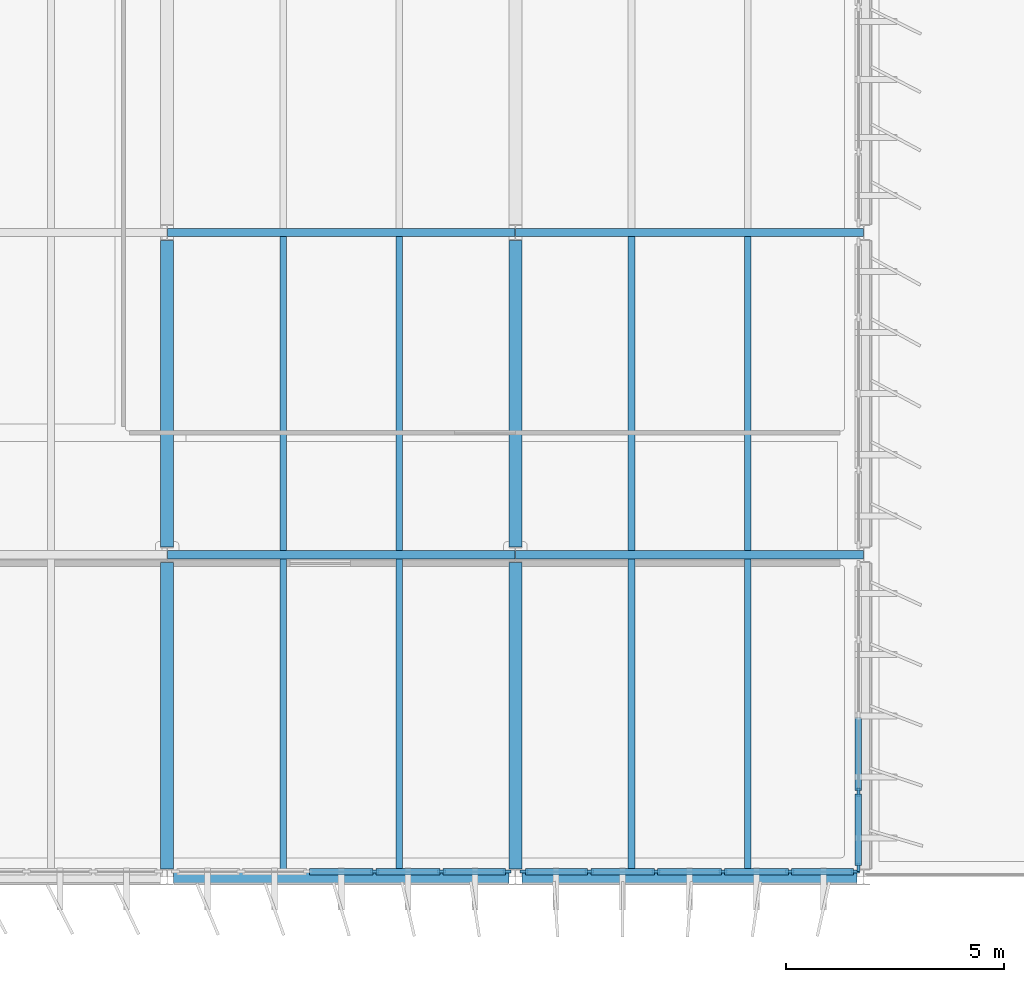
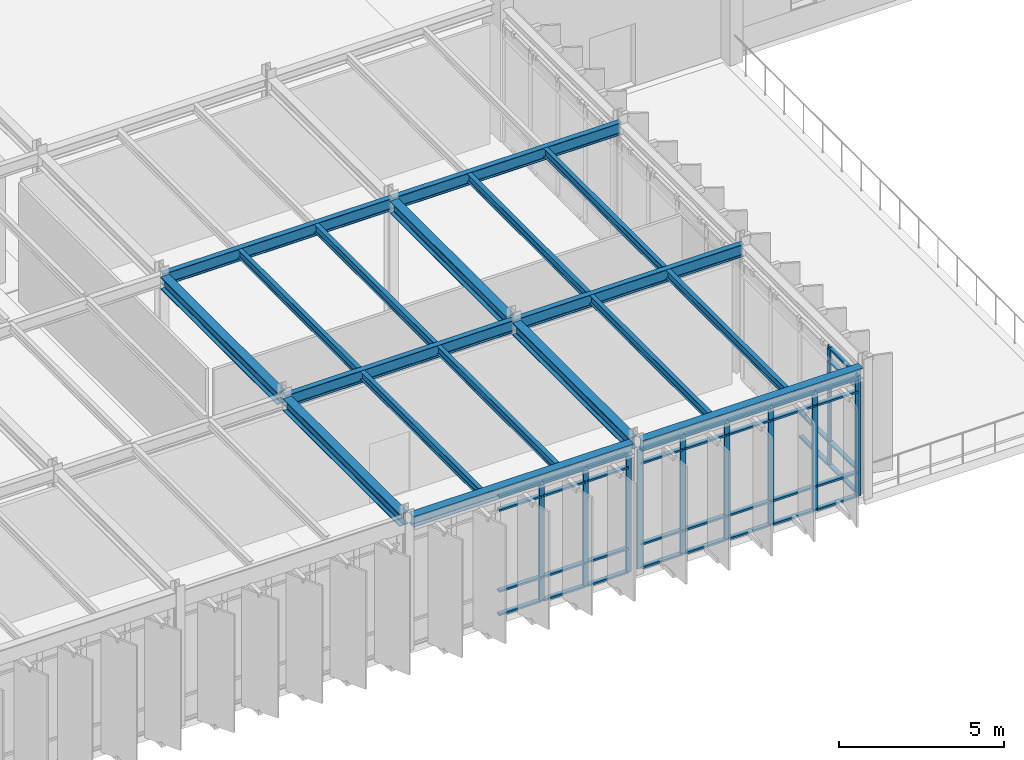
# One storey, part 19 of 48: 49 members, 18 beams, 3 elements without a shape of their own.
"""IFC4 building model written with IfcOpenShell, lengths in metres."""

import ifcopenshell
import ifcopenshell.guid

model = None  # the IFC model being written
_history = None  # IfcOwnerHistory: only IFC2X3 demands one
_inside = {}  # id of a spatial element -> (the spatial element, [elements in it])
_under = {}  # id of a project, library or spatial element -> (it, [spatial elements below it])
_declared = {}  # id of a project -> (the project, [libraries it declares])
_typed = {}  # id of a type object -> (the type object, [elements of that type])
_made_of = {}  # id of a material, layer set ... -> (it, [elements and type objects made of it])


def new_model(schema):
    """Start an empty IFC model of exactly this schema.

    Asked for "IFC4X3", IfcOpenShell would pick the latest addendum, in which some entities
    have other attributes; the version numbers below select the first issue.
    IFC2X3 requires an IfcOwnerHistory on every rooted entity: one is made here for all.
    """
    global model, _history
    if schema == "IFC4X3":
        model = ifcopenshell.file(schema_version=(4, 3, 0, 0))
    else:
        model = ifcopenshell.file(schema=schema)
    _inside.clear()
    _under.clear()
    _declared.clear()
    _typed.clear()
    _made_of.clear()
    _history = None
    if model.schema == "IFC2X3":
        org = make("IfcOrganization", Name="unknown")
        user = make(
            "IfcPersonAndOrganization",
            ThePerson=make("IfcPerson", FamilyName="unknown"),
            TheOrganization=org,
        )
        app = make(
            "IfcApplication",
            ApplicationDeveloper=org,
            Version="unknown",
            ApplicationFullName="unknown",
            ApplicationIdentifier="unknown",
        )
        _history = make(
            "IfcOwnerHistory",
            OwningUser=user,
            OwningApplication=app,
            ChangeAction="ADDED",
            CreationDate=0,
        )
    return model


def make(cls, **values):
    """One entity of the class cls with the attributes given. An attribute that is None is left unset."""
    return model.create_entity(
        cls, **{name: value for name, value in values.items() if value is not None}
    )


def rooted(cls, **values):
    """An entity with a GlobalId (a new one), such as an element, a storey or a relation."""
    return make(cls, GlobalId=ifcopenshell.guid.new(), OwnerHistory=_history, **values)


def si_unit(unit_type, name, prefix=None):
    """IfcSIUnit, for example si_unit("LENGTHUNIT", "METRE", prefix="MILLI")."""
    return make("IfcSIUnit", UnitType=unit_type, Prefix=prefix, Name=name)


def assignment(units):
    """IfcUnitAssignment: the units of a project."""
    return None if units is None else make("IfcUnitAssignment", Units=units)


def point(xyz):
    """IfcCartesianPoint."""
    return None if xyz is None else make("IfcCartesianPoint", Coordinates=xyz)


def direction(xyz):
    """IfcDirection."""
    return None if xyz is None else make("IfcDirection", DirectionRatios=xyz)


def frame(location, z_axis=None, x_axis=None):
    """IfcAxis2Placement3D, a coordinate frame: its origin and axes. An axis left out is left unset."""
    return make(
        "IfcAxis2Placement3D",
        Location=point(location),
        Axis=direction(z_axis),
        RefDirection=direction(x_axis),
    )


def frame_2d(location, x_axis=None):
    """IfcAxis2Placement2D, a coordinate frame in the plane: its origin and x axis."""
    return make(
        "IfcAxis2Placement2D", Location=point(location), RefDirection=direction(x_axis)
    )


def origin():
    """The frame at (0, 0, 0) with its axes left unset."""
    return frame((0.0, 0.0, 0.0))


def origin_2d():
    """The frame at (0, 0) in the plane with its x axis left unset."""
    return frame_2d((0.0, 0.0))


def place(relative_to, where):
    """IfcLocalPlacement: puts the frame where relative to a parent placement (None: the world)."""
    return make(
        "IfcLocalPlacement", PlacementRelTo=relative_to, RelativePlacement=where
    )


def context(
    kind, dimensions, precision=None, world=None, true_north=None, identifier=None
):
    """IfcGeometricRepresentationContext, for example the 3D "Model" context."""
    return make(
        "IfcGeometricRepresentationContext",
        ContextIdentifier=identifier,
        ContextType=kind,
        CoordinateSpaceDimension=dimensions,
        Precision=precision,
        WorldCoordinateSystem=world,
        TrueNorth=true_north,
    )


def subcontext(parent, identifier, kind, view, scale=None):
    """IfcGeometricRepresentationSubContext, for example "Body" below "Model"."""
    return make(
        "IfcGeometricRepresentationSubContext",
        ContextIdentifier=identifier,
        ContextType=kind,
        ParentContext=parent,
        TargetScale=scale,
        TargetView=view,
    )


def project(units=None, contexts=None):
    """IfcProject with its units and contexts."""
    return rooted(
        "IfcProject",
        Name="project",
        RepresentationContexts=contexts,
        UnitsInContext=assignment(units),
    )


def spatial(cls, under=None, at=None, **own):
    """A site, building, storey or space (cls), placed at a placement, below another one or the project."""
    s = rooted(cls, ObjectPlacement=at, **own)
    if under is not None:
        _under.setdefault(under.id(), (under, []))[1].append(s)
    return s


def profile(cls, at=None, kind="AREA", **sizes):
    """A parametric profile (cls). Its sizes go by their IFC names, for example OverallWidth=200.0."""
    return make(cls, ProfileType=kind, Position=at, **sizes)


def rectangle(**sizes):
    """IfcRectangleProfileDef."""
    return profile("IfcRectangleProfileDef", **sizes)


def i_section(**sizes):
    """IfcIShapeProfileDef."""
    return profile("IfcIShapeProfileDef", **sizes)


def extrude(swept, where, along, depth):
    """IfcExtrudedAreaSolid: the profile swept, set in the frame where, extruded along a direction by depth."""
    return make(
        "IfcExtrudedAreaSolid",
        SweptArea=swept,
        Position=where,
        ExtrudedDirection=direction(along),
        Depth=depth,
    )


def shape(context_of_items, identifier, shape_type, items):
    """IfcShapeRepresentation: the items that make up one representation, for example the "Body"."""
    return make(
        "IfcShapeRepresentation",
        ContextOfItems=context_of_items,
        RepresentationIdentifier=identifier,
        RepresentationType=shape_type,
        Items=items,
    )


def material(Name=None, Category=None):
    """IfcMaterial."""
    return make("IfcMaterial", Name=Name, Category=Category)


def layer(
    of_material, thickness, ventilated=None, Name=None, Category=None, Priority=None
):
    """IfcMaterialLayer: one layer of a wall or slab, of a material (None: an air gap)."""
    return make(
        "IfcMaterialLayer",
        Material=of_material,
        LayerThickness=thickness,
        IsVentilated=ventilated,
        Name=Name,
        Category=Category,
        Priority=Priority,
    )


def layer_set(layers, Name=None):
    """IfcMaterialLayerSet."""
    return make("IfcMaterialLayerSet", MaterialLayers=layers, LayerSetName=Name)


def material_profile(
    of_material, cross_section, Name=None, Category=None, Priority=None
):
    """IfcMaterialProfile: a cross section and its material."""
    return make(
        "IfcMaterialProfile",
        Name=Name,
        Material=of_material,
        Profile=cross_section,
        Priority=Priority,
        Category=Category,
    )


def profile_set(profiles, Name=None, composite=None):
    """IfcMaterialProfileSet."""
    return make(
        "IfcMaterialProfileSet",
        Name=Name,
        MaterialProfiles=profiles,
        CompositeProfile=composite,
    )


def made_of(thing, what):
    """Note that an element or type object is made of a material, layer set ...; save() writes the relation."""
    if what is not None:
        _made_of.setdefault(what.id(), (what, []))[1].append(thing)
    return thing


def type_object(cls, material=None, **own):
    """A type object (cls), such as IfcWallType, which elements share."""
    return made_of(rooted(cls, **own), material)


def element(
    cls,
    number,
    at=None,
    inside=None,
    cuts=None,
    type_object=None,
    material=None,
    context=None,
    identifier="Body",
    shape_type=None,
    held_by="IfcProductDefinitionShape",
    body=None,
    shapes=None,
    **own,
):
    """One element of the class cls, such as IfcWall. Its Tag is "e" and its number.

    at: its placement. inside: the storey or other place that contains it. cuts: it is an
    opening in that element (IfcRelVoidsElement). A single representation is given by context,
    identifier, shape_type and body (its items); several are given by shapes. held_by: the class
    of the entity that holds the representations. save() writes the other relations.
    """
    e = rooted(cls, Tag="e%d" % number, ObjectPlacement=at, **own)
    if body is not None:
        shapes = [shape(context, identifier, shape_type, body)]
    if shapes is not None:
        e.Representation = make(held_by, Representations=shapes)
    if inside is not None:
        _inside.setdefault(inside.id(), (inside, []))[1].append(e)
    if cuts is not None:
        rooted(
            "IfcRelVoidsElement", RelatingBuildingElement=cuts, RelatedOpeningElement=e
        )
    if type_object is not None:
        _typed.setdefault(type_object.id(), (type_object, []))[1].append(e)
    return made_of(e, material)


def aggregate(whole, parts):
    """IfcRelAggregates: a whole, such as a stair, and the parts it consists of."""
    return rooted("IfcRelAggregates", RelatingObject=whole, RelatedObjects=parts)


def save(model, path):
    """Write the relations noted so far, then the file.

    IfcRelAggregates (storeys below a building ...), IfcRelContainedInSpatialStructure (elements
    in a storey), IfcRelDefinesByType, IfcRelAssociatesMaterial and IfcRelDeclares: one each for
    every whole, place, type object, material and project.
    """
    for whole, parts in _under.values():
        aggregate(whole, parts)
    for where, things in _inside.values():
        rooted(
            "IfcRelContainedInSpatialStructure",
            RelatedElements=things,
            RelatingStructure=where,
        )
    for kind, things in _typed.values():
        rooted("IfcRelDefinesByType", RelatedObjects=things, RelatingType=kind)
    for what, things in _made_of.values():
        rooted("IfcRelAssociatesMaterial", RelatedObjects=things, RelatingMaterial=what)
    for by, libraries in _declared.values():
        rooted("IfcRelDeclares", RelatingContext=by, RelatedDefinitions=libraries)
    model.write(path)


model = new_model("IFC4")

# Units and contexts
model_context = context("Model", 3, precision=1e-05, world=origin(), true_north=direction((0.0, 1.0)))
body_context = subcontext(model_context, "Body", "Model", "MODEL_VIEW")
ifc_project = project(units=[si_unit("LENGTHUNIT", "METRE"), si_unit("AREAUNIT", "SQUARE_METRE"), si_unit("VOLUMEUNIT", "CUBIC_METRE"), si_unit("PLANEANGLEUNIT", "RADIAN"), si_unit("MASSUNIT", "GRAM", prefix="KILO")], contexts=[model_context])

# Site, building, storey
site_placement = place(None, origin())
site = spatial("IfcSite", under=ifc_project, at=site_placement, CompositionType="ELEMENT")
building_placement = place(site_placement, origin())
building = spatial("IfcBuilding", under=site, at=building_placement, Name="Valkorina Park Police Headquarters", CompositionType="ELEMENT")
storey_placement = place(building_placement, frame((0.0, 0.0, 18.10009765625)))
storey = spatial("IfcBuildingStorey", under=building, at=storey_placement, Name="L05", CompositionType="ELEMENT", Elevation=18.10009765625)

# Beams
ifc_material_1 = material(Name="Steel S355", Category="steel")
ifc_material_profile_1 = material_profile(ifc_material_1, i_section(OverallWidth=0.300048828125, OverallDepth=0.389892578125, WebThickness=0.010986328125, FlangeThickness=0.01904296875, FilletRadius=0.027099609375, at=origin_2d()), Name="HEA 400")
ifc_profile_set_1 = profile_set([ifc_material_profile_1], Name="Steel S355")
beam_type_1 = type_object("IfcBeamType", Name="BM-S355-HEA400-SPN", PredefinedType="SPANDREL", material=ifc_profile_set_1)
for number, where, z_axis, x_axis, name in (
    (1, (96.949951171875, 37.0, 4.6748046875), (1.0, 0.0, 0.0), (0.0, 1.0, 0.0), "L05 Framing Beam 2466"),
    (2, (104.949951171875, 37.0, 4.6748046875), (1.0, 0.0, 0.0), (0.0, 1.0, 0.0), "L05 Framing Beam 2467"),
):
    element("IfcBeam", number, at=place(storey_placement, frame(where, z_axis=z_axis, x_axis=x_axis)), inside=storey, type_object=beam_type_1, Name=name, PredefinedType="SPANDREL", context=body_context, shape_type="SweptSolid", body=[
        extrude(i_section(OverallWidth=0.300048828125, OverallDepth=0.389892578125, WebThickness=0.010986328125, FlangeThickness=0.01904296875, FilletRadius=0.027099609375, at=origin_2d()), origin(), (0.0, 0.0, 1.0), 7.699951171875),
    ])
ifc_material_profile_2 = material_profile(ifc_material_1, i_section(OverallWidth=0.300048828125, OverallDepth=0.449951171875, WebThickness=0.013916015625, FlangeThickness=0.02587890625, FilletRadius=0.027099609375, at=origin_2d()), Name="HEB 450")
ifc_profile_set_2 = profile_set([ifc_material_profile_2], Name="Steel S355")
beam_type_2 = type_object("IfcBeamType", Name="BM-S355-HEB450-BM", PredefinedType="BEAM", material=ifc_profile_set_2)
for number, where, z_axis, x_axis, name in (
    (3, (96.800048828125, 37.179931640625, 4.64501953125), (0.0, 1.0, 0.0), (-1.0, 0.0, 0.0), "L05 Framing Beam 2578"),
    (4, (96.800048828125, 44.580078125, 4.64501953125), (0.0, 1.0, 0.0), (-1.0, 0.0, 0.0), "L05 Framing Beam 2581"),
    (5, (104.800048828125, 37.179931640625, 4.64501953125), (0.0, 1.0, 0.0), (-1.0, 0.0, 0.0), "L05 Framing Beam 2590"),
    (6, (104.800048828125, 44.580078125, 4.64501953125), (0.0, 1.0, 0.0), (-1.0, 0.0, 0.0), "L05 Framing Beam 2593"),
):
    element("IfcBeam", number, at=place(storey_placement, frame(where, z_axis=z_axis, x_axis=x_axis)), inside=storey, type_object=beam_type_2, Name=name, PredefinedType="BEAM", context=body_context, shape_type="SweptSolid", body=[
        extrude(i_section(OverallWidth=0.300048828125, OverallDepth=0.449951171875, WebThickness=0.013916015625, FlangeThickness=0.02587890625, FilletRadius=0.027099609375, at=origin_2d()), origin(), (0.0, 0.0, 1.0), 7.0400390625),
    ])
ifc_material_profile_3 = material_profile(ifc_material_1, i_section(OverallWidth=0.14990234375, OverallDepth=0.300048828125, WebThickness=0.007080078125, FlangeThickness=0.0107421875, FilletRadius=0.014892578125, at=origin_2d()), Name="IPE 300")
ifc_profile_set_3 = profile_set([ifc_material_profile_3], Name="Steel S355")
beam_type_3 = type_object("IfcBeamType", Name="BM-S355-IPE300-JST", PredefinedType="JOIST", material=ifc_profile_set_3)
for number, where, z_axis, x_axis, name in (
    (7, (99.466796875, 37.14990234375, 4.719970703125), (0.0, 1.0, 0.0), (-1.0, 0.0, 0.0), "L05 Framing Beam 2579"),
    (8, (102.13330078125, 37.14990234375, 4.719970703125), (0.0, 1.0, 0.0), (-1.0, 0.0, 0.0), "L05 Framing Beam 2580"),
):
    element("IfcBeam", number, at=place(storey_placement, frame(where, z_axis=z_axis, x_axis=x_axis)), inside=storey, type_object=beam_type_3, Name=name, PredefinedType="JOIST", context=body_context, shape_type="SweptSolid", body=[
        extrude(i_section(OverallWidth=0.14990234375, OverallDepth=0.300048828125, WebThickness=0.007080078125, FlangeThickness=0.0107421875, FilletRadius=0.014892578125, at=origin_2d()), origin(), (0.0, 0.0, 1.0), 7.155029296875),
    ])
for number, where, z_axis, x_axis, name in (
    (9, (99.466796875, 44.4951171875, 4.719970703125), (0.0, 1.0, 0.0), (-1.0, 0.0, 0.0), "L05 Framing Beam 2582"),
    (10, (102.13330078125, 44.4951171875, 4.719970703125), (0.0, 1.0, 0.0), (-1.0, 0.0, 0.0), "L05 Framing Beam 2583"),
):
    element("IfcBeam", number, at=place(storey_placement, frame(where, z_axis=z_axis, x_axis=x_axis)), inside=storey, type_object=beam_type_3, Name=name, PredefinedType="JOIST", context=body_context, shape_type="SweptSolid", body=[
        extrude(i_section(OverallWidth=0.14990234375, OverallDepth=0.300048828125, WebThickness=0.007080078125, FlangeThickness=0.0107421875, FilletRadius=0.014892578125, at=origin_2d()), origin(), (0.0, 0.0, 1.0), 7.2099609375),
    ])
for number, where, z_axis, x_axis, name in (
    (11, (107.466796875, 37.14990234375, 4.719970703125), (0.0, 1.0, 0.0), (-1.0, 0.0, 0.0), "L05 Framing Beam 2591"),
    (12, (110.13330078125, 37.14990234375, 4.719970703125), (0.0, 1.0, 0.0), (-1.0, 0.0, 0.0), "L05 Framing Beam 2592"),
):
    element("IfcBeam", number, at=place(storey_placement, frame(where, z_axis=z_axis, x_axis=x_axis)), inside=storey, type_object=beam_type_3, Name=name, PredefinedType="JOIST", context=body_context, shape_type="SweptSolid", body=[
        extrude(i_section(OverallWidth=0.14990234375, OverallDepth=0.300048828125, WebThickness=0.007080078125, FlangeThickness=0.0107421875, FilletRadius=0.014892578125, at=origin_2d()), origin(), (0.0, 0.0, 1.0), 7.155029296875),
    ])
for number, where, z_axis, x_axis, name in (
    (13, (107.466796875, 44.4951171875, 4.719970703125), (0.0, 1.0, 0.0), (-1.0, 0.0, 0.0), "L05 Framing Beam 2594"),
    (14, (110.13330078125, 44.4951171875, 4.719970703125), (0.0, 1.0, 0.0), (-1.0, 0.0, 0.0), "L05 Framing Beam 2595"),
):
    element("IfcBeam", number, at=place(storey_placement, frame(where, z_axis=z_axis, x_axis=x_axis)), inside=storey, type_object=beam_type_3, Name=name, PredefinedType="JOIST", context=body_context, shape_type="SweptSolid", body=[
        extrude(i_section(OverallWidth=0.14990234375, OverallDepth=0.300048828125, WebThickness=0.007080078125, FlangeThickness=0.0107421875, FilletRadius=0.014892578125, at=origin_2d()), origin(), (0.0, 0.0, 1.0), 7.2099609375),
    ])
ifc_material_profile_4 = material_profile(ifc_material_1, i_section(OverallWidth=0.18994140625, OverallDepth=0.449951171875, WebThickness=0.009521484375, FlangeThickness=0.0146484375, FilletRadius=0.02099609375, at=origin_2d()), Name="IPE 450")
ifc_profile_set_4 = profile_set([ifc_material_profile_4], Name="Steel S355")
beam_type_4 = type_object("IfcBeamType", Name="BM-S355-IPE450-BM", PredefinedType="BEAM", material=ifc_profile_set_4)
for number, where, z_axis, x_axis, name in (
    (15, (96.806396484375, 44.39990234375, 4.64501953125), (1.0, 0.0, 0.0), (0.0, 1.0, 0.0), "L05 Framing Beam 2477"),
    (16, (104.806396484375, 44.39990234375, 4.64501953125), (1.0, 0.0, 0.0), (0.0, 1.0, 0.0), "L05 Framing Beam 2478"),
    (17, (96.806396484375, 51.800048828125, 4.64501953125), (1.0, 0.0, 0.0), (0.0, 1.0, 0.0), "L05 Framing Beam 2485"),
    (18, (104.806396484375, 51.800048828125, 4.64501953125), (1.0, 0.0, 0.0), (0.0, 1.0, 0.0), "L05 Framing Beam 2486"),
):
    element("IfcBeam", number, at=place(storey_placement, frame(where, z_axis=z_axis, x_axis=x_axis)), inside=storey, type_object=beam_type_4, Name=name, PredefinedType="BEAM", context=body_context, shape_type="SweptSolid", body=[
        extrude(i_section(OverallWidth=0.18994140625, OverallDepth=0.449951171875, WebThickness=0.009521484375, FlangeThickness=0.0146484375, FilletRadius=0.02099609375, at=origin_2d()), origin(), (0.0, 0.0, 1.0), 7.9873046875),
    ])

# Curtain wall, members
ifc_material_2 = material(Name="Thermally broken aluminium AW-6060", Category="aluminium")
ifc_layer_1 = layer(ifc_material_2, 0.18994140625)
ifc_layer_set_1 = layer_set([ifc_layer_1], Name="Thermally broken aluminium AW-6060")
curtain_wall_type_1 = type_object("IfcCurtainWallType", Name="CW-V5-7680x4410", PredefinedType="NOTDEFINED", material=ifc_layer_set_1)
curtain_wall_1_placement = place(storey_placement, origin())
curtain_wall_1 = element("IfcCurtainWall", 19, at=curtain_wall_1_placement, inside=storey, type_object=curtain_wall_type_1, Name="L05 Unitised Curtain Wall 061", PredefinedType="NOTDEFINED")
ifc_material_profile_5 = material_profile(ifc_material_2, rectangle(XDim=0.070068359375, YDim=0.18994140625, at=origin_2d()), Name="CWM-02 70x190")
ifc_profile_set_5 = profile_set([ifc_material_profile_5], Name="Thermally broken aluminium AW-6060")
member_type_1 = type_object("IfcMemberType", Name="CWM-70x190", PredefinedType="MULLION", material=ifc_profile_set_5)
member_1_placement = place(storey_placement, frame((112.60498046875, 37.1201171875, 0.0), z_axis=(0.0, 0.0, 1.0), x_axis=(0.0, -1.0, 0.0)))
member_1 = element("IfcMember", 20, at=member_1_placement, type_object=member_type_1, Name="CW-V5-768-441 mullion 1", PredefinedType="MULLION", context=body_context, shape_type="SweptSolid", body=[
    extrude(rectangle(XDim=0.070068359375, YDim=0.18994140625, at=origin_2d()), origin(), (0.0, 0.0, 1.0), 4.409912109375),
])
member_2_placement = place(storey_placement, frame((111.10400390625, 37.1201171875, 0.0), z_axis=(0.0, 0.0, 1.0), x_axis=(0.0, -1.0, 0.0)))
member_2 = element("IfcMember", 21, at=member_2_placement, type_object=member_type_1, Name="CW-V5-768-441 mullion 2", PredefinedType="MULLION", context=body_context, shape_type="SweptSolid", body=[
    extrude(rectangle(XDim=0.070068359375, YDim=0.18994140625, at=origin_2d()), origin(), (0.0, 0.0, 1.0), 4.409912109375),
])
member_3_placement = place(storey_placement, frame((109.568115234375, 37.1201171875, 0.0), z_axis=(0.0, 0.0, 1.0), x_axis=(0.0, -1.0, 0.0)))
member_3 = element("IfcMember", 22, at=member_3_placement, type_object=member_type_1, Name="CW-V5-768-441 mullion 3", PredefinedType="MULLION", context=body_context, shape_type="SweptSolid", body=[
    extrude(rectangle(XDim=0.070068359375, YDim=0.18994140625, at=origin_2d()), origin(), (0.0, 0.0, 1.0), 4.409912109375),
])
member_4_placement = place(storey_placement, frame((108.031982421875, 37.1201171875, 0.0), z_axis=(0.0, 0.0, 1.0), x_axis=(0.0, -1.0, 0.0)))
member_4 = element("IfcMember", 23, at=member_4_placement, type_object=member_type_1, Name="CW-V5-768-441 mullion 4", PredefinedType="MULLION", context=body_context, shape_type="SweptSolid", body=[
    extrude(rectangle(XDim=0.070068359375, YDim=0.18994140625, at=origin_2d()), origin(), (0.0, 0.0, 1.0), 4.409912109375),
])
member_5_placement = place(storey_placement, frame((106.49609375, 37.1201171875, 0.0), z_axis=(0.0, 0.0, 1.0), x_axis=(0.0, -1.0, 0.0)))
member_5 = element("IfcMember", 24, at=member_5_placement, type_object=member_type_1, Name="CW-V5-768-441 mullion 5", PredefinedType="MULLION", context=body_context, shape_type="SweptSolid", body=[
    extrude(rectangle(XDim=0.070068359375, YDim=0.18994140625, at=origin_2d()), origin(), (0.0, 0.0, 1.0), 4.409912109375),
])
member_6_placement = place(storey_placement, frame((104.9951171875, 37.1201171875, 0.0), z_axis=(0.0, 0.0, 1.0), x_axis=(0.0, -1.0, 0.0)))
member_6 = element("IfcMember", 25, at=member_6_placement, type_object=member_type_1, Name="CW-V5-768-441 mullion 6", PredefinedType="MULLION", context=body_context, shape_type="SweptSolid", body=[
    extrude(rectangle(XDim=0.070068359375, YDim=0.18994140625, at=origin_2d()), origin(), (0.0, 0.0, 1.0), 4.409912109375),
])

curtain_wall_2_placement = place(storey_placement, origin())
curtain_wall_2 = element("IfcCurtainWall", 26, at=curtain_wall_2_placement, inside=storey, type_object=curtain_wall_type_1, Name="L05 Unitised Curtain Wall 062", PredefinedType="NOTDEFINED")
member_7_placement = place(storey_placement, frame((104.60498046875, 37.1201171875, 0.0), z_axis=(0.0, 0.0, 1.0), x_axis=(0.0, -1.0, 0.0)))
member_7 = element("IfcMember", 27, at=member_7_placement, type_object=member_type_1, Name="CW-V5-768-441 mullion 1", PredefinedType="MULLION", context=body_context, shape_type="SweptSolid", body=[
    extrude(rectangle(XDim=0.070068359375, YDim=0.18994140625, at=origin_2d()), origin(), (0.0, 0.0, 1.0), 4.409912109375),
])
member_8_placement = place(storey_placement, frame((103.10400390625, 37.1201171875, 0.0), z_axis=(0.0, 0.0, 1.0), x_axis=(0.0, -1.0, 0.0)))
member_8 = element("IfcMember", 28, at=member_8_placement, type_object=member_type_1, Name="CW-V5-768-441 mullion 2", PredefinedType="MULLION", context=body_context, shape_type="SweptSolid", body=[
    extrude(rectangle(XDim=0.070068359375, YDim=0.18994140625, at=origin_2d()), origin(), (0.0, 0.0, 1.0), 4.409912109375),
])
member_9_placement = place(storey_placement, frame((101.568115234375, 37.1201171875, 0.0), z_axis=(0.0, 0.0, 1.0), x_axis=(0.0, -1.0, 0.0)))
member_9 = element("IfcMember", 29, at=member_9_placement, type_object=member_type_1, Name="CW-V5-768-441 mullion 3", PredefinedType="MULLION", context=body_context, shape_type="SweptSolid", body=[
    extrude(rectangle(XDim=0.070068359375, YDim=0.18994140625, at=origin_2d()), origin(), (0.0, 0.0, 1.0), 4.409912109375),
])

ifc_layer_2 = layer(ifc_material_2, 0.18994140625)
ifc_layer_set_2 = layer_set([ifc_layer_2], Name="Thermally broken aluminium AW-6060")
curtain_wall_type_2 = type_object("IfcCurtainWallType", Name="CW-V5-7020x4410", PredefinedType="NOTDEFINED", material=ifc_layer_set_2)
curtain_wall_3_placement = place(storey_placement, origin())
curtain_wall_3 = element("IfcCurtainWall", 30, at=curtain_wall_3_placement, inside=storey, type_object=curtain_wall_type_2, Name="L05 Unitised Curtain Wall 096", PredefinedType="NOTDEFINED")
member_10_placement = place(storey_placement, frame((112.679931640625, 38.945068359375, 0.0), z_axis=(0.0, 0.0, 1.0), x_axis=(1.0, 0.0, 0.0)))
member_10 = element("IfcMember", 31, at=member_10_placement, type_object=member_type_1, Name="CW-V5-702-441 mullion 4", PredefinedType="MULLION", context=body_context, shape_type="SweptSolid", body=[
    extrude(rectangle(XDim=0.070068359375, YDim=0.18994140625, at=origin_2d()), origin(), (0.0, 0.0, 1.0), 4.409912109375),
])
member_11_placement = place(storey_placement, frame((112.679931640625, 37.22509765625, 0.0), z_axis=(0.0, 0.0, 1.0), x_axis=(1.0, 0.0, 0.0)))
member_11 = element("IfcMember", 32, at=member_11_placement, type_object=member_type_1, Name="CW-V5-702-441 mullion 5", PredefinedType="MULLION", context=body_context, shape_type="SweptSolid", body=[
    extrude(rectangle(XDim=0.070068359375, YDim=0.18994140625, at=origin_2d()), origin(), (0.0, 0.0, 1.0), 4.409912109375),
])

# Member
ifc_material_profile_6 = material_profile(ifc_material_2, rectangle(XDim=0.14990234375, YDim=0.070068359375, at=origin_2d()), Name="CWT-02 150x70")
ifc_profile_set_6 = profile_set([ifc_material_profile_6], Name="Thermally broken aluminium AW-6060")
member_type_2 = type_object("IfcMemberType", Name="CWT-150x70", PredefinedType="USERDEFINED", material=ifc_profile_set_6)
member_12_placement = place(storey_placement, frame((112.570068359375, 37.1201171875, 0.034912109375), z_axis=(-1.0, 0.0, 0.0), x_axis=(0.0, -1.0, 0.0)))
member_12 = element("IfcMember", 33, at=member_12_placement, type_object=member_type_2, Name="CW-V5-768-441 transom 1.1", ObjectType="TRANSOM", PredefinedType="USERDEFINED", context=body_context, shape_type="SweptSolid", body=[
    extrude(rectangle(XDim=0.14990234375, YDim=0.070068359375, at=origin_2d()), origin(), (0.0, 0.0, 1.0), 1.43115234375),
])

member_13_placement = place(storey_placement, frame((112.570068359375, 37.1201171875, 0.89990234375), z_axis=(-1.0, 0.0, 0.0), x_axis=(0.0, -1.0, 0.0)))
member_13 = element("IfcMember", 34, at=member_13_placement, type_object=member_type_2, Name="CW-V5-768-441 transom 1.2", ObjectType="TRANSOM", PredefinedType="USERDEFINED", context=body_context, shape_type="SweptSolid", body=[
    extrude(rectangle(XDim=0.14990234375, YDim=0.070068359375, at=origin_2d()), origin(), (0.0, 0.0, 1.0), 1.43115234375),
])

member_14_placement = place(storey_placement, frame((112.570068359375, 37.1201171875, 3.889892578125), z_axis=(-1.0, 0.0, 0.0), x_axis=(0.0, -1.0, 0.0)))
member_14 = element("IfcMember", 35, at=member_14_placement, type_object=member_type_2, Name="CW-V5-768-441 transom 1.3", ObjectType="TRANSOM", PredefinedType="USERDEFINED", context=body_context, shape_type="SweptSolid", body=[
    extrude(rectangle(XDim=0.14990234375, YDim=0.070068359375, at=origin_2d()), origin(), (0.0, 0.0, 1.0), 1.43115234375),
])

member_15_placement = place(storey_placement, frame((112.570068359375, 37.1201171875, 4.375), z_axis=(-1.0, 0.0, 0.0), x_axis=(0.0, -1.0, 0.0)))
member_15 = element("IfcMember", 36, at=member_15_placement, type_object=member_type_2, Name="CW-V5-768-441 transom 1.4", ObjectType="TRANSOM", PredefinedType="USERDEFINED", context=body_context, shape_type="SweptSolid", body=[
    extrude(rectangle(XDim=0.14990234375, YDim=0.070068359375, at=origin_2d()), origin(), (0.0, 0.0, 1.0), 1.43115234375),
])

member_16_placement = place(storey_placement, frame((111.069091796875, 37.1201171875, 0.034912109375), z_axis=(-1.0, 0.0, 0.0), x_axis=(0.0, -1.0, 0.0)))
member_16 = element("IfcMember", 37, at=member_16_placement, type_object=member_type_2, Name="CW-V5-768-441 transom 2.1", ObjectType="TRANSOM", PredefinedType="USERDEFINED", context=body_context, shape_type="SweptSolid", body=[
    extrude(rectangle(XDim=0.14990234375, YDim=0.070068359375, at=origin_2d()), origin(), (0.0, 0.0, 1.0), 1.466064453125),
])

member_17_placement = place(storey_placement, frame((111.069091796875, 37.1201171875, 0.89990234375), z_axis=(-1.0, 0.0, 0.0), x_axis=(0.0, -1.0, 0.0)))
member_17 = element("IfcMember", 38, at=member_17_placement, type_object=member_type_2, Name="CW-V5-768-441 transom 2.2", ObjectType="TRANSOM", PredefinedType="USERDEFINED", context=body_context, shape_type="SweptSolid", body=[
    extrude(rectangle(XDim=0.14990234375, YDim=0.070068359375, at=origin_2d()), origin(), (0.0, 0.0, 1.0), 1.466064453125),
])

member_18_placement = place(storey_placement, frame((111.069091796875, 37.1201171875, 3.889892578125), z_axis=(-1.0, 0.0, 0.0), x_axis=(0.0, -1.0, 0.0)))
member_18 = element("IfcMember", 39, at=member_18_placement, type_object=member_type_2, Name="CW-V5-768-441 transom 2.3", ObjectType="TRANSOM", PredefinedType="USERDEFINED", context=body_context, shape_type="SweptSolid", body=[
    extrude(rectangle(XDim=0.14990234375, YDim=0.070068359375, at=origin_2d()), origin(), (0.0, 0.0, 1.0), 1.466064453125),
])

member_19_placement = place(storey_placement, frame((111.069091796875, 37.1201171875, 4.375), z_axis=(-1.0, 0.0, 0.0), x_axis=(0.0, -1.0, 0.0)))
member_19 = element("IfcMember", 40, at=member_19_placement, type_object=member_type_2, Name="CW-V5-768-441 transom 2.4", ObjectType="TRANSOM", PredefinedType="USERDEFINED", context=body_context, shape_type="SweptSolid", body=[
    extrude(rectangle(XDim=0.14990234375, YDim=0.070068359375, at=origin_2d()), origin(), (0.0, 0.0, 1.0), 1.466064453125),
])

member_20_placement = place(storey_placement, frame((109.532958984375, 37.1201171875, 0.034912109375), z_axis=(-1.0, 0.0, 0.0), x_axis=(0.0, -1.0, 0.0)))
member_20 = element("IfcMember", 41, at=member_20_placement, type_object=member_type_2, Name="CW-V5-768-441 transom 3.1", ObjectType="TRANSOM", PredefinedType="USERDEFINED", context=body_context, shape_type="SweptSolid", body=[
    extrude(rectangle(XDim=0.14990234375, YDim=0.070068359375, at=origin_2d()), origin(), (0.0, 0.0, 1.0), 1.466064453125),
])

member_21_placement = place(storey_placement, frame((109.532958984375, 37.1201171875, 0.89990234375), z_axis=(-1.0, 0.0, 0.0), x_axis=(0.0, -1.0, 0.0)))
member_21 = element("IfcMember", 42, at=member_21_placement, type_object=member_type_2, Name="CW-V5-768-441 transom 3.2", ObjectType="TRANSOM", PredefinedType="USERDEFINED", context=body_context, shape_type="SweptSolid", body=[
    extrude(rectangle(XDim=0.14990234375, YDim=0.070068359375, at=origin_2d()), origin(), (0.0, 0.0, 1.0), 1.466064453125),
])

member_22_placement = place(storey_placement, frame((109.532958984375, 37.1201171875, 3.889892578125), z_axis=(-1.0, 0.0, 0.0), x_axis=(0.0, -1.0, 0.0)))
member_22 = element("IfcMember", 43, at=member_22_placement, type_object=member_type_2, Name="CW-V5-768-441 transom 3.3", ObjectType="TRANSOM", PredefinedType="USERDEFINED", context=body_context, shape_type="SweptSolid", body=[
    extrude(rectangle(XDim=0.14990234375, YDim=0.070068359375, at=origin_2d()), origin(), (0.0, 0.0, 1.0), 1.466064453125),
])

member_23_placement = place(storey_placement, frame((109.532958984375, 37.1201171875, 4.375), z_axis=(-1.0, 0.0, 0.0), x_axis=(0.0, -1.0, 0.0)))
member_23 = element("IfcMember", 44, at=member_23_placement, type_object=member_type_2, Name="CW-V5-768-441 transom 3.4", ObjectType="TRANSOM", PredefinedType="USERDEFINED", context=body_context, shape_type="SweptSolid", body=[
    extrude(rectangle(XDim=0.14990234375, YDim=0.070068359375, at=origin_2d()), origin(), (0.0, 0.0, 1.0), 1.466064453125),
])

member_24_placement = place(storey_placement, frame((107.9970703125, 37.1201171875, 0.034912109375), z_axis=(-1.0, 0.0, 0.0), x_axis=(0.0, -1.0, 0.0)))
member_24 = element("IfcMember", 45, at=member_24_placement, type_object=member_type_2, Name="CW-V5-768-441 transom 4.1", ObjectType="TRANSOM", PredefinedType="USERDEFINED", context=body_context, shape_type="SweptSolid", body=[
    extrude(rectangle(XDim=0.14990234375, YDim=0.070068359375, at=origin_2d()), origin(), (0.0, 0.0, 1.0), 1.466064453125),
])

member_25_placement = place(storey_placement, frame((107.9970703125, 37.1201171875, 0.89990234375), z_axis=(-1.0, 0.0, 0.0), x_axis=(0.0, -1.0, 0.0)))
member_25 = element("IfcMember", 46, at=member_25_placement, type_object=member_type_2, Name="CW-V5-768-441 transom 4.2", ObjectType="TRANSOM", PredefinedType="USERDEFINED", context=body_context, shape_type="SweptSolid", body=[
    extrude(rectangle(XDim=0.14990234375, YDim=0.070068359375, at=origin_2d()), origin(), (0.0, 0.0, 1.0), 1.466064453125),
])

member_26_placement = place(storey_placement, frame((107.9970703125, 37.1201171875, 3.889892578125), z_axis=(-1.0, 0.0, 0.0), x_axis=(0.0, -1.0, 0.0)))
member_26 = element("IfcMember", 47, at=member_26_placement, type_object=member_type_2, Name="CW-V5-768-441 transom 4.3", ObjectType="TRANSOM", PredefinedType="USERDEFINED", context=body_context, shape_type="SweptSolid", body=[
    extrude(rectangle(XDim=0.14990234375, YDim=0.070068359375, at=origin_2d()), origin(), (0.0, 0.0, 1.0), 1.466064453125),
])

member_27_placement = place(storey_placement, frame((107.9970703125, 37.1201171875, 4.375), z_axis=(-1.0, 0.0, 0.0), x_axis=(0.0, -1.0, 0.0)))
member_27 = element("IfcMember", 48, at=member_27_placement, type_object=member_type_2, Name="CW-V5-768-441 transom 4.4", ObjectType="TRANSOM", PredefinedType="USERDEFINED", context=body_context, shape_type="SweptSolid", body=[
    extrude(rectangle(XDim=0.14990234375, YDim=0.070068359375, at=origin_2d()), origin(), (0.0, 0.0, 1.0), 1.466064453125),
])

member_28_placement = place(storey_placement, frame((106.4609375, 37.1201171875, 0.034912109375), z_axis=(-1.0, 0.0, 0.0), x_axis=(0.0, -1.0, 0.0)))
member_28 = element("IfcMember", 49, at=member_28_placement, type_object=member_type_2, Name="CW-V5-768-441 transom 5.1", ObjectType="TRANSOM", PredefinedType="USERDEFINED", context=body_context, shape_type="SweptSolid", body=[
    extrude(rectangle(XDim=0.14990234375, YDim=0.070068359375, at=origin_2d()), origin(), (0.0, 0.0, 1.0), 1.430908203125),
])

member_29_placement = place(storey_placement, frame((106.4609375, 37.1201171875, 0.89990234375), z_axis=(-1.0, 0.0, 0.0), x_axis=(0.0, -1.0, 0.0)))
member_29 = element("IfcMember", 50, at=member_29_placement, type_object=member_type_2, Name="CW-V5-768-441 transom 5.2", ObjectType="TRANSOM", PredefinedType="USERDEFINED", context=body_context, shape_type="SweptSolid", body=[
    extrude(rectangle(XDim=0.14990234375, YDim=0.070068359375, at=origin_2d()), origin(), (0.0, 0.0, 1.0), 1.430908203125),
])

member_30_placement = place(storey_placement, frame((106.4609375, 37.1201171875, 3.889892578125), z_axis=(-1.0, 0.0, 0.0), x_axis=(0.0, -1.0, 0.0)))
member_30 = element("IfcMember", 51, at=member_30_placement, type_object=member_type_2, Name="CW-V5-768-441 transom 5.3", ObjectType="TRANSOM", PredefinedType="USERDEFINED", context=body_context, shape_type="SweptSolid", body=[
    extrude(rectangle(XDim=0.14990234375, YDim=0.070068359375, at=origin_2d()), origin(), (0.0, 0.0, 1.0), 1.430908203125),
])

member_31_placement = place(storey_placement, frame((106.4609375, 37.1201171875, 4.375), z_axis=(-1.0, 0.0, 0.0), x_axis=(0.0, -1.0, 0.0)))
member_31 = element("IfcMember", 52, at=member_31_placement, type_object=member_type_2, Name="CW-V5-768-441 transom 5.4", ObjectType="TRANSOM", PredefinedType="USERDEFINED", context=body_context, shape_type="SweptSolid", body=[
    extrude(rectangle(XDim=0.14990234375, YDim=0.070068359375, at=origin_2d()), origin(), (0.0, 0.0, 1.0), 1.430908203125),
])

aggregate(curtain_wall_1, [member_1, member_2, member_3, member_4, member_5, member_6, member_12, member_13, member_14, member_15, member_16, member_17, member_18, member_19, member_20, member_21, member_22, member_23, member_24, member_25, member_26, member_27, member_28, member_29, member_30, member_31])

member_32_placement = place(storey_placement, frame((104.570068359375, 37.1201171875, 0.034912109375), z_axis=(-1.0, 0.0, 0.0), x_axis=(0.0, -1.0, 0.0)))
member_32 = element("IfcMember", 53, at=member_32_placement, type_object=member_type_2, Name="CW-V5-768-441 transom 1.1", ObjectType="TRANSOM", PredefinedType="USERDEFINED", context=body_context, shape_type="SweptSolid", body=[
    extrude(rectangle(XDim=0.14990234375, YDim=0.070068359375, at=origin_2d()), origin(), (0.0, 0.0, 1.0), 1.43115234375),
])

member_33_placement = place(storey_placement, frame((104.570068359375, 37.1201171875, 0.89990234375), z_axis=(-1.0, 0.0, 0.0), x_axis=(0.0, -1.0, 0.0)))
member_33 = element("IfcMember", 54, at=member_33_placement, type_object=member_type_2, Name="CW-V5-768-441 transom 1.2", ObjectType="TRANSOM", PredefinedType="USERDEFINED", context=body_context, shape_type="SweptSolid", body=[
    extrude(rectangle(XDim=0.14990234375, YDim=0.070068359375, at=origin_2d()), origin(), (0.0, 0.0, 1.0), 1.43115234375),
])

member_34_placement = place(storey_placement, frame((104.570068359375, 37.1201171875, 3.889892578125), z_axis=(-1.0, 0.0, 0.0), x_axis=(0.0, -1.0, 0.0)))
member_34 = element("IfcMember", 55, at=member_34_placement, type_object=member_type_2, Name="CW-V5-768-441 transom 1.3", ObjectType="TRANSOM", PredefinedType="USERDEFINED", context=body_context, shape_type="SweptSolid", body=[
    extrude(rectangle(XDim=0.14990234375, YDim=0.070068359375, at=origin_2d()), origin(), (0.0, 0.0, 1.0), 1.43115234375),
])

member_35_placement = place(storey_placement, frame((104.570068359375, 37.1201171875, 4.375), z_axis=(-1.0, 0.0, 0.0), x_axis=(0.0, -1.0, 0.0)))
member_35 = element("IfcMember", 56, at=member_35_placement, type_object=member_type_2, Name="CW-V5-768-441 transom 1.4", ObjectType="TRANSOM", PredefinedType="USERDEFINED", context=body_context, shape_type="SweptSolid", body=[
    extrude(rectangle(XDim=0.14990234375, YDim=0.070068359375, at=origin_2d()), origin(), (0.0, 0.0, 1.0), 1.43115234375),
])

member_36_placement = place(storey_placement, frame((103.069091796875, 37.1201171875, 0.034912109375), z_axis=(-1.0, 0.0, 0.0), x_axis=(0.0, -1.0, 0.0)))
member_36 = element("IfcMember", 57, at=member_36_placement, type_object=member_type_2, Name="CW-V5-768-441 transom 2.1", ObjectType="TRANSOM", PredefinedType="USERDEFINED", context=body_context, shape_type="SweptSolid", body=[
    extrude(rectangle(XDim=0.14990234375, YDim=0.070068359375, at=origin_2d()), origin(), (0.0, 0.0, 1.0), 1.466064453125),
])

member_37_placement = place(storey_placement, frame((103.069091796875, 37.1201171875, 0.89990234375), z_axis=(-1.0, 0.0, 0.0), x_axis=(0.0, -1.0, 0.0)))
member_37 = element("IfcMember", 58, at=member_37_placement, type_object=member_type_2, Name="CW-V5-768-441 transom 2.2", ObjectType="TRANSOM", PredefinedType="USERDEFINED", context=body_context, shape_type="SweptSolid", body=[
    extrude(rectangle(XDim=0.14990234375, YDim=0.070068359375, at=origin_2d()), origin(), (0.0, 0.0, 1.0), 1.466064453125),
])

member_38_placement = place(storey_placement, frame((103.069091796875, 37.1201171875, 3.889892578125), z_axis=(-1.0, 0.0, 0.0), x_axis=(0.0, -1.0, 0.0)))
member_38 = element("IfcMember", 59, at=member_38_placement, type_object=member_type_2, Name="CW-V5-768-441 transom 2.3", ObjectType="TRANSOM", PredefinedType="USERDEFINED", context=body_context, shape_type="SweptSolid", body=[
    extrude(rectangle(XDim=0.14990234375, YDim=0.070068359375, at=origin_2d()), origin(), (0.0, 0.0, 1.0), 1.466064453125),
])

member_39_placement = place(storey_placement, frame((103.069091796875, 37.1201171875, 4.375), z_axis=(-1.0, 0.0, 0.0), x_axis=(0.0, -1.0, 0.0)))
member_39 = element("IfcMember", 60, at=member_39_placement, type_object=member_type_2, Name="CW-V5-768-441 transom 2.4", ObjectType="TRANSOM", PredefinedType="USERDEFINED", context=body_context, shape_type="SweptSolid", body=[
    extrude(rectangle(XDim=0.14990234375, YDim=0.070068359375, at=origin_2d()), origin(), (0.0, 0.0, 1.0), 1.466064453125),
])

member_40_placement = place(storey_placement, frame((101.532958984375, 37.1201171875, 0.034912109375), z_axis=(-1.0, 0.0, 0.0), x_axis=(0.0, -1.0, 0.0)))
member_40 = element("IfcMember", 61, at=member_40_placement, type_object=member_type_2, Name="CW-V5-768-441 transom 3.1", ObjectType="TRANSOM", PredefinedType="USERDEFINED", context=body_context, shape_type="SweptSolid", body=[
    extrude(rectangle(XDim=0.14990234375, YDim=0.070068359375, at=origin_2d()), origin(), (0.0, 0.0, 1.0), 1.466064453125),
])

member_41_placement = place(storey_placement, frame((101.532958984375, 37.1201171875, 0.89990234375), z_axis=(-1.0, 0.0, 0.0), x_axis=(0.0, -1.0, 0.0)))
member_41 = element("IfcMember", 62, at=member_41_placement, type_object=member_type_2, Name="CW-V5-768-441 transom 3.2", ObjectType="TRANSOM", PredefinedType="USERDEFINED", context=body_context, shape_type="SweptSolid", body=[
    extrude(rectangle(XDim=0.14990234375, YDim=0.070068359375, at=origin_2d()), origin(), (0.0, 0.0, 1.0), 1.466064453125),
])

member_42_placement = place(storey_placement, frame((101.532958984375, 37.1201171875, 3.889892578125), z_axis=(-1.0, 0.0, 0.0), x_axis=(0.0, -1.0, 0.0)))
member_42 = element("IfcMember", 63, at=member_42_placement, type_object=member_type_2, Name="CW-V5-768-441 transom 3.3", ObjectType="TRANSOM", PredefinedType="USERDEFINED", context=body_context, shape_type="SweptSolid", body=[
    extrude(rectangle(XDim=0.14990234375, YDim=0.070068359375, at=origin_2d()), origin(), (0.0, 0.0, 1.0), 1.466064453125),
])

member_43_placement = place(storey_placement, frame((101.532958984375, 37.1201171875, 4.375), z_axis=(-1.0, 0.0, 0.0), x_axis=(0.0, -1.0, 0.0)))
member_43 = element("IfcMember", 64, at=member_43_placement, type_object=member_type_2, Name="CW-V5-768-441 transom 3.4", ObjectType="TRANSOM", PredefinedType="USERDEFINED", context=body_context, shape_type="SweptSolid", body=[
    extrude(rectangle(XDim=0.14990234375, YDim=0.070068359375, at=origin_2d()), origin(), (0.0, 0.0, 1.0), 1.466064453125),
])

aggregate(curtain_wall_2, [member_7, member_8, member_9, member_32, member_33, member_34, member_35, member_36, member_37, member_38, member_39, member_40, member_41, member_42, member_43])

member_44_placement = place(storey_placement, frame((112.679931640625, 40.6650390625, 0.034912109375), z_axis=(0.0, -1.0, 0.0), x_axis=(1.0, 0.0, 0.0)))
member_44 = element("IfcMember", 65, at=member_44_placement, type_object=member_type_2, Name="CW-V5-702-441 transom 3.1", ObjectType="TRANSOM", PredefinedType="USERDEFINED", context=body_context, shape_type="SweptSolid", body=[
    extrude(rectangle(XDim=0.14990234375, YDim=0.070068359375, at=origin_2d()), origin(), (0.0, 0.0, 1.0), 1.68505859375),
])

member_45_placement = place(storey_placement, frame((112.679931640625, 40.6650390625, 0.89990234375), z_axis=(0.0, -1.0, 0.0), x_axis=(1.0, 0.0, 0.0)))
member_45 = element("IfcMember", 66, at=member_45_placement, type_object=member_type_2, Name="CW-V5-702-441 transom 3.2", ObjectType="TRANSOM", PredefinedType="USERDEFINED", context=body_context, shape_type="SweptSolid", body=[
    extrude(rectangle(XDim=0.14990234375, YDim=0.070068359375, at=origin_2d()), origin(), (0.0, 0.0, 1.0), 1.68505859375),
])

member_46_placement = place(storey_placement, frame((112.679931640625, 38.909912109375, 0.034912109375), z_axis=(0.0, -1.0, 0.0), x_axis=(1.0, 0.0, 0.0)))
member_46 = element("IfcMember", 67, at=member_46_placement, type_object=member_type_2, Name="CW-V5-702-441 transom 4.1", ObjectType="TRANSOM", PredefinedType="USERDEFINED", context=body_context, shape_type="SweptSolid", body=[
    extrude(rectangle(XDim=0.14990234375, YDim=0.070068359375, at=origin_2d()), origin(), (0.0, 0.0, 1.0), 1.64990234375),
])

member_47_placement = place(storey_placement, frame((112.679931640625, 38.909912109375, 0.89990234375), z_axis=(0.0, -1.0, 0.0), x_axis=(1.0, 0.0, 0.0)))
member_47 = element("IfcMember", 68, at=member_47_placement, type_object=member_type_2, Name="CW-V5-702-441 transom 4.2", ObjectType="TRANSOM", PredefinedType="USERDEFINED", context=body_context, shape_type="SweptSolid", body=[
    extrude(rectangle(XDim=0.14990234375, YDim=0.070068359375, at=origin_2d()), origin(), (0.0, 0.0, 1.0), 1.64990234375),
])

member_48_placement = place(storey_placement, frame((112.679931640625, 38.909912109375, 3.889892578125), z_axis=(0.0, -1.0, 0.0), x_axis=(1.0, 0.0, 0.0)))
member_48 = element("IfcMember", 69, at=member_48_placement, type_object=member_type_2, Name="CW-V5-702-441 transom 4.3", ObjectType="TRANSOM", PredefinedType="USERDEFINED", context=body_context, shape_type="SweptSolid", body=[
    extrude(rectangle(XDim=0.14990234375, YDim=0.070068359375, at=origin_2d()), origin(), (0.0, 0.0, 1.0), 1.64990234375),
])

member_49_placement = place(storey_placement, frame((112.679931640625, 38.909912109375, 4.375), z_axis=(0.0, -1.0, 0.0), x_axis=(1.0, 0.0, 0.0)))
member_49 = element("IfcMember", 70, at=member_49_placement, type_object=member_type_2, Name="CW-V5-702-441 transom 4.4", ObjectType="TRANSOM", PredefinedType="USERDEFINED", context=body_context, shape_type="SweptSolid", body=[
    extrude(rectangle(XDim=0.14990234375, YDim=0.070068359375, at=origin_2d()), origin(), (0.0, 0.0, 1.0), 1.64990234375),
])

aggregate(curtain_wall_3, [member_10, member_11, member_44, member_45, member_46, member_47, member_48, member_49])

save(model, "model.ifc")
